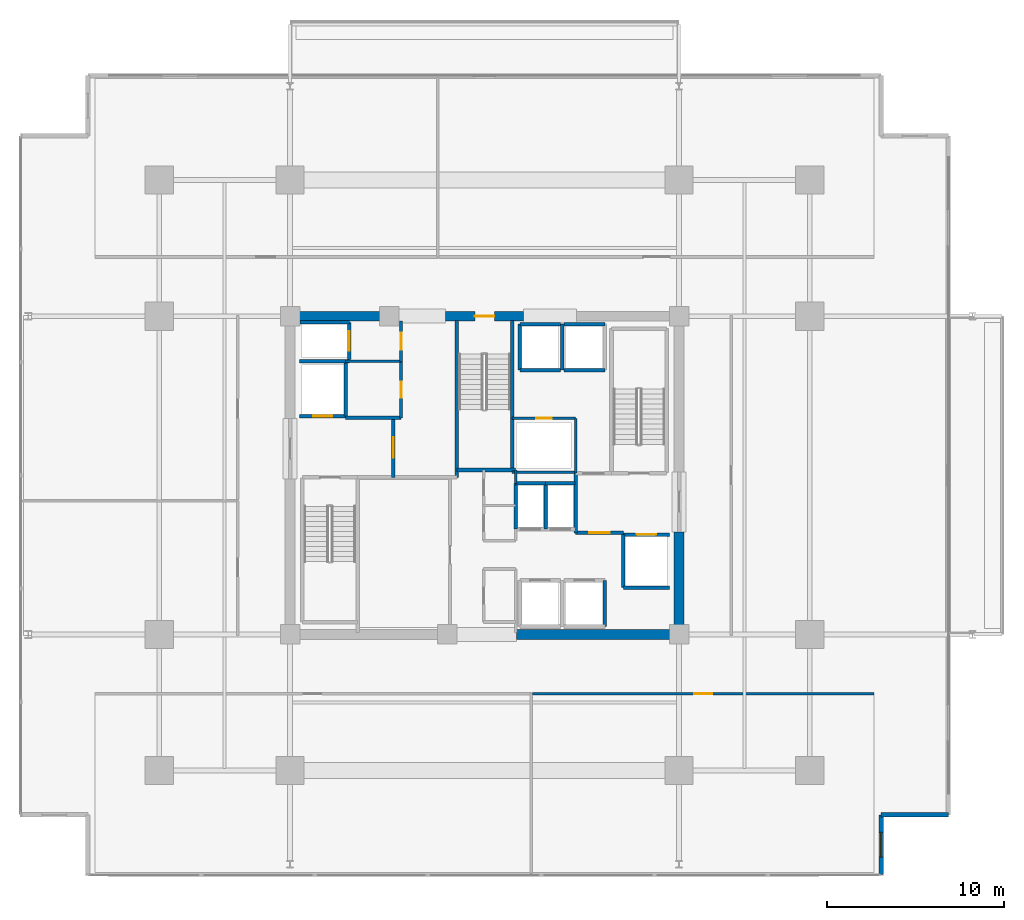
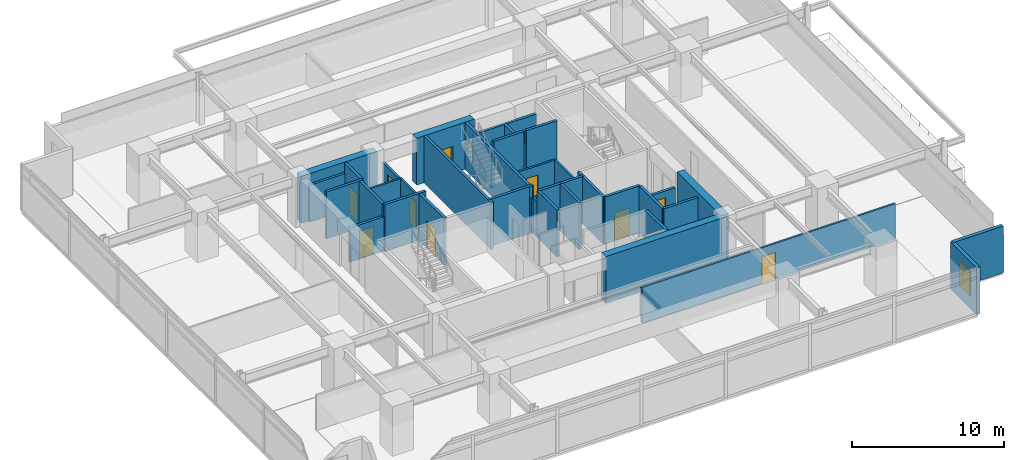
# One storey, part 13 of 20: 40 walls, 10 doors, 1 window, 11 openings.
"""IFC4 building model written with IfcOpenShell, lengths in metres."""

from ifc_helpers import new_model, si_unit, direction, frame, frame_2d, origin, place, context, subcontext, project, spatial, rectangle, extrude, material, layer, layer_set, type_object, element, fill, save


model = new_model("IFC4")

# Units and contexts
model_context = context("Model", 3, precision=1e-05, world=origin(), true_north=direction((0.0, 1.0)))
body_context = subcontext(model_context, "Body", "Model", "MODEL_VIEW")
ifc_project = project(units=[si_unit("LENGTHUNIT", "METRE"), si_unit("AREAUNIT", "SQUARE_METRE"), si_unit("VOLUMEUNIT", "CUBIC_METRE"), si_unit("PLANEANGLEUNIT", "RADIAN"), si_unit("MASSUNIT", "GRAM", prefix="KILO")], contexts=[model_context])

# Site, building, storey
site_placement = place(None, origin())
site = spatial("IfcSite", under=ifc_project, at=site_placement, CompositionType="ELEMENT")
building_placement = place(site_placement, origin())
building = spatial("IfcBuilding", under=site, at=building_placement, Name="Kovane Verandah Tower", CompositionType="ELEMENT")
storey_placement = place(building_placement, frame((0.0, 0.0, 128.39990234375)))
storey = spatial("IfcBuildingStorey", under=building, at=storey_placement, Name="L29", CompositionType="ELEMENT", Elevation=128.39990234375)

# Walls
ifc_material_1 = material(Name="Fire-Rated Gypsum Stud Partition", Category="gypsum")
ifc_layer_1 = layer(ifc_material_1, 0.14990234375)
ifc_layer_set_1 = layer_set([ifc_layer_1], Name="Fire-Rated Gypsum Stud Partition")
wall_type_1 = type_object("IfcWallType", Name="WL-COR-150", PredefinedType="PARTITIONING", material=ifc_layer_set_1)
wall_1_placement = place(storey_placement, frame((41.760009765625, 27.050048828125, 0.0), z_axis=(0.0, 0.0, 1.0), x_axis=(0.0, 1.0, 0.0)))
element("IfcWall", 1, at=wall_1_placement, inside=storey, type_object=wall_type_1, Name="L29 Central Core Strip Upper East Wall", PredefinedType="PARTITIONING", context=body_context, shape_type="SweptSolid", body=[
    extrude(rectangle(XDim=0.75, YDim=0.14990234375, at=frame_2d((0.375, 0.0))), origin(), (0.0, 0.0, 1.0), 2.85009765625),
])
wall_2_placement = place(storey_placement, frame((32.14990234375, 33.949951171875, 0.0), z_axis=(0.0, 0.0, 1.0), x_axis=(1.0, 0.0, 0.0)))
element("IfcWall", 2, at=wall_2_placement, inside=storey, type_object=wall_type_1, Name="L29 Goods Lift Lobby South Wall", PredefinedType="PARTITIONING", context=body_context, shape_type="SweptSolid", body=[
    extrude(rectangle(XDim=3.130126953125, YDim=0.14990234375, at=frame_2d((1.56494140625, 0.0))), origin(), (0.0, 0.0, 1.0), 2.85009765625),
])

# Wall, opening, door
wall_3_placement = place(storey_placement, frame((35.280029296875, 33.949951171875, 0.0), z_axis=(0.0, 0.0, 1.0), x_axis=(0.0, 1.0, 0.0)))
wall_3 = element("IfcWall", 3, at=wall_3_placement, inside=storey, type_object=wall_type_1, Name="L29 Goods Lift Lobby East Fire Partition", PredefinedType="PARTITIONING", context=body_context, shape_type="SweptSolid", body=[
    extrude(rectangle(XDim=2.27001953125, YDim=0.14990234375, at=frame_2d((1.135009765625, 0.0))), origin(), (0.0, 0.0, 1.0), 2.755126953125),
])
opening_1_placement = place(wall_3_placement, frame((0.659912109375, 0.0, 0.0)))
opening_1 = element("IfcOpeningElement", 4, at=opening_1_placement, cuts=wall_3, Name="Opening DR-L29-008", PredefinedType="OPENING", context=body_context, shape_type="SweptSolid", body=[
    extrude(rectangle(XDim=0.949951171875, YDim=2.14990234375, at=frame_2d((0.47509765625, 1.074951171875))), frame((0.0, 0.074951171875, 0.0), z_axis=(0.0, -1.0, 0.0), x_axis=(1.0, 0.0, 0.0)), (0.0, 0.0, 1.0), 0.14990234375),
])
ifc_material_2 = material(Name="Fire-Rated Steel Refuge and Lobby Door", Category="steel")
door_type_1 = type_object("IfcDoorType", Name="DR-FIRE-950", OperationType="SINGLE_SWING_LEFT", PredefinedType="DOOR", material=ifc_material_2)
door_1_placement = place(opening_1_placement, origin())
door_1 = element("IfcDoor", 5, at=door_1_placement, inside=storey, type_object=door_type_1, Name="L29 Goods Lift Lobby Fire Door", OperationType="SINGLE_SWING_RIGHT", OverallHeight=2.14990234375, OverallWidth=0.949951171875, PredefinedType="DOOR", context=body_context, shape_type="SweptSolid", body=[
    extrude(rectangle(XDim=0.949951171875, YDim=2.14990234375, at=frame_2d((0.47509765625, 1.074951171875))), frame((0.0, 0.02490234375, 0.0), z_axis=(0.0, -1.0, 0.0), x_axis=(1.0, 0.0, 0.0)), (0.0, 0.0, 1.0), 0.050048828125),
])
fill(opening_1, door_1)

wall_4_placement = place(storey_placement, frame((35.280029296875, 30.75, 0.0), z_axis=(0.0, 0.0, 1.0), x_axis=(0.0, 1.0, 0.0)))
wall_4 = element("IfcWall", 6, at=wall_4_placement, inside=storey, type_object=wall_type_1, Name="L29 Accessible Unisex Toilet Partition", PredefinedType="PARTITIONING", context=body_context, shape_type="SweptSolid", body=[
    extrude(rectangle(XDim=3.199951171875, YDim=0.14990234375, at=frame_2d((1.60009765625, 0.0))), origin(), (0.0, 0.0, 1.0), 2.85009765625),
])
opening_2_placement = place(wall_4_placement, frame((1.14990234375, 0.0, 0.0)))
opening_2 = element("IfcOpeningElement", 7, at=opening_2_placement, cuts=wall_4, Name="Opening DR-L29-020", PredefinedType="OPENING", context=body_context, shape_type="SweptSolid", body=[
    extrude(rectangle(XDim=0.89990234375, YDim=2.10009765625, at=frame_2d((0.449951171875, 1.050048828125))), frame((0.0, 0.074951171875, 0.0), z_axis=(0.0, -1.0, 0.0), x_axis=(1.0, 0.0, 0.0)), (0.0, 0.0, 1.0), 0.14990234375),
])
ifc_material_3 = material(Name="Moisture-Resistant Laminate Washroom Door", Category="wood")
door_type_2 = type_object("IfcDoorType", Name="DR-WC-900", OperationType="SINGLE_SWING_LEFT", PredefinedType="DOOR", material=ifc_material_3)
door_2_placement = place(opening_2_placement, origin())
door_2 = element("IfcDoor", 8, at=door_2_placement, inside=storey, type_object=door_type_2, Name="L29 Accessible Unisex Toilet Door", OperationType="SINGLE_SWING_LEFT", OverallHeight=2.10009765625, OverallWidth=0.89990234375, PredefinedType="DOOR", context=body_context, shape_type="SweptSolid", body=[
    extrude(rectangle(XDim=0.89990234375, YDim=2.10009765625, at=frame_2d((0.449951171875, 1.050048828125))), frame((0.0, 0.02490234375, 0.0), z_axis=(0.0, -1.0, 0.0), x_axis=(1.0, 0.0, 0.0)), (0.0, 0.0, 1.0), 0.050048828125),
])
fill(opening_2, door_2)

# Walls
wall_5_placement = place(storey_placement, frame((41.56005859375, 27.679931640625, 0.0), z_axis=(0.0, 0.0, 1.0), x_axis=(1.0, 0.0, 0.0)))
element("IfcWall", 9, at=wall_5_placement, inside=storey, type_object=wall_type_1, Name="L29 East Core Service Riser South Wall", PredefinedType="PARTITIONING", context=body_context, shape_type="SweptSolid", body=[
    extrude(rectangle(XDim=3.58984375, YDim=0.14990234375, at=frame_2d((1.794921875, 0.0))), origin(), (0.0, 0.0, 1.0), 2.85009765625),
])
wall_6_placement = place(storey_placement, frame((45.14990234375, 27.6201171875, 0.0), z_axis=(0.0, 0.0, 1.0), x_axis=(0.0, 1.0, 0.0)))
element("IfcWall", 10, at=wall_6_placement, inside=storey, type_object=wall_type_1, Name="L29 East Core Service Riser East Wall", PredefinedType="PARTITIONING", context=body_context, shape_type="SweptSolid", body=[
    extrude(rectangle(XDim=3.099853515625, YDim=0.14990234375, at=frame_2d((1.5498046875, 0.0))), origin(), (0.0, 0.0, 1.0), 2.85009765625),
])

# Wall, opening, door
wall_7_placement = place(storey_placement, frame((41.56005859375, 30.719970703125, 0.0), z_axis=(0.0, 0.0, 1.0), x_axis=(1.0, 0.0, 0.0)))
wall_7 = element("IfcWall", 11, at=wall_7_placement, inside=storey, type_object=wall_type_1, Name="L29 Combined Chilled Water and Smoke Duct Room Partition", PredefinedType="PARTITIONING", context=body_context, shape_type="SweptSolid", body=[
    extrude(rectangle(XDim=3.58984375, YDim=0.14990234375, at=frame_2d((1.794921875, 0.0))), origin(), (0.0, 0.0, 1.0), 2.85009765625),
])
opening_3_placement = place(wall_7_placement, frame((1.35498046875, 0.0, 0.0)))
opening_3 = element("IfcOpeningElement", 12, at=opening_3_placement, cuts=wall_7, Name="Opening DR-L29-014", PredefinedType="OPENING", context=body_context, shape_type="SweptSolid", body=[
    extrude(rectangle(XDim=0.8798828125, YDim=2.10009765625, at=frame_2d((0.43994140625, 1.050048828125))), frame((0.0, 0.074951171875, 0.0), z_axis=(0.0, -1.0, 0.0), x_axis=(1.0, 0.0, 0.0)), (0.0, 0.0, 1.0), 0.14990234375),
])
ifc_material_4 = material(Name="Fire-Rated Steel Riser Access Door", Category="steel")
door_type_3 = type_object("IfcDoorType", Name="DR-RISER-880", OperationType="SINGLE_SWING_LEFT", PredefinedType="DOOR", material=ifc_material_4)
door_3_placement = place(opening_3_placement, origin())
door_3 = element("IfcDoor", 13, at=door_3_placement, inside=storey, type_object=door_type_3, Name="L29 Combined Chilled Water and Smoke Duct Room Door", OperationType="SINGLE_SWING_LEFT", OverallHeight=2.10009765625, OverallWidth=0.8798828125, PredefinedType="DOOR", context=body_context, shape_type="SweptSolid", body=[
    extrude(rectangle(XDim=0.8798828125, YDim=2.10009765625, at=frame_2d((0.43994140625, 1.050048828125))), frame((0.0, 0.02490234375, 0.0), z_axis=(0.0, -1.0, 0.0), x_axis=(1.0, 0.0, 0.0)), (0.0, 0.0, 1.0), 0.050048828125),
])
fill(opening_3, door_3)

wall_8_placement = place(storey_placement, frame((42.71337890625, 15.14990234375, 0.0), z_axis=(0.0, 0.0, 1.0), x_axis=(1.0, 0.0, 0.0)))
wall_8 = element("IfcWall", 14, at=wall_8_placement, inside=storey, type_object=wall_type_1, Name="L29 Focus Studio S2 Corridor Partition", PredefinedType="PARTITIONING", context=body_context, shape_type="SweptSolid", body=[
    extrude(rectangle(XDim=19.3154296875, YDim=0.14990234375, at=frame_2d((9.65771484375, 0.0))), origin(), (0.0, 0.0, 1.0), 2.85009765625),
])
opening_4_placement = place(wall_8_placement, frame((9.15771484375, 0.0, 0.0)))
opening_4 = element("IfcOpeningElement", 15, at=opening_4_placement, cuts=wall_8, Name="Opening DR-L29-018", PredefinedType="OPENING", context=body_context, shape_type="SweptSolid", body=[
    extrude(rectangle(XDim=1.0, YDim=2.14990234375, at=frame_2d((0.5, 1.074951171875))), frame((0.0, 0.074951171875, 0.0), z_axis=(0.0, -1.0, 0.0), x_axis=(1.0, 0.0, 0.0)), (0.0, 0.0, 1.0), 0.14990234375),
])
ifc_material_5 = material(Name="FSC Spotted-Gum Timber Fire-Rated Office Door", Category="wood")
door_type_4 = type_object("IfcDoorType", Name="DR-OFF-1000", OperationType="SINGLE_SWING_LEFT", PredefinedType="DOOR", material=ifc_material_5)
door_4_placement = place(opening_4_placement, origin())
door_4 = element("IfcDoor", 16, at=door_4_placement, inside=storey, type_object=door_type_4, Name="L29 Focus Studio S2 Entrance Door", OperationType="SINGLE_SWING_LEFT", OverallHeight=2.14990234375, OverallWidth=1.0, PredefinedType="DOOR", context=body_context, shape_type="SweptSolid", body=[
    extrude(rectangle(XDim=1.0, YDim=2.14990234375, at=frame_2d((0.5, 1.074951171875))), frame((0.0, 0.02490234375, 0.0), z_axis=(0.0, -1.0, 0.0), x_axis=(1.0, 0.0, 0.0)), (0.0, 0.0, 1.0), 0.050048828125),
])
fill(opening_4, door_4)

# Walls
ifc_material_6 = material(Name="Concrete C60/75", Category="concrete")
ifc_layer_2 = layer(ifc_material_6, 0.550048828125)
ifc_layer_set_2 = layer_set([ifc_layer_2], Name="Concrete C60/75")
wall_type_2 = type_object("IfcWallType", Name="WL-CORE-550", PredefinedType="SHEAR", material=ifc_layer_set_2)
wall_9_placement = place(storey_placement, frame((41.800048828125, 18.5, 0.0), z_axis=(0.0, 0.0, 1.0), x_axis=(1.0, 0.0, 0.0)))
element("IfcWall", 17, at=wall_9_placement, inside=storey, type_object=wall_type_2, Name="L29 Core Shear Wall CS-2", PredefinedType="SHEAR", context=body_context, shape_type="SweptSolid", body=[
    extrude(rectangle(XDim=9.199951171875, YDim=0.550048828125, at=frame_2d((4.60009765625, 0.0))), origin(), (0.0, 0.0, 1.0), 3.775146484375),
])
wall_10_placement = place(storey_placement, frame((29.0, 36.5, 0.0), z_axis=(0.0, 0.0, 1.0), x_axis=(1.0, 0.0, 0.0)))
element("IfcWall", 18, at=wall_10_placement, inside=storey, type_object=wall_type_2, Name="L29 Core Shear Wall CN-1", PredefinedType="SHEAR", context=body_context, shape_type="SweptSolid", body=[
    extrude(rectangle(XDim=5.800048828125, YDim=0.550048828125, at=frame_2d((2.89990234375, 0.0))), origin(), (0.0, 0.0, 1.0), 3.775146484375),
])

# Wall, opening, door
wall_11_placement = place(storey_placement, frame((37.800048828125, 36.5, 0.0), z_axis=(0.0, 0.0, 1.0), x_axis=(1.0, 0.0, 0.0)))
wall_11 = element("IfcWall", 19, at=wall_11_placement, inside=storey, type_object=wall_type_2, Name="L29 Core Shear Wall CN-2", PredefinedType="SHEAR", context=body_context, shape_type="SweptSolid", body=[
    extrude(rectangle(XDim=4.39990234375, YDim=0.550048828125, at=frame_2d((2.199951171875, 0.0))), origin(), (0.0, 0.0, 1.0), 3.775146484375),
])
opening_5_placement = place(wall_11_placement, frame((1.64990234375, 0.0, 0.0)))
opening_5 = element("IfcOpeningElement", 20, at=opening_5_placement, cuts=wall_11, Name="Opening DR-L29-011", PredefinedType="OPENING", context=body_context, shape_type="SweptSolid", body=[
    extrude(rectangle(XDim=1.10009765625, YDim=2.14990234375, at=frame_2d((0.550048828125, 1.074951171875))), frame((0.0, 0.27490234375, 0.0), z_axis=(0.0, -1.0, 0.0), x_axis=(1.0, 0.0, 0.0)), (0.0, 0.0, 1.0), 0.550048828125),
])
ifc_material_7 = material(Name="Fire-Rated Steel Exit Door", Category="steel")
door_type_5 = type_object("IfcDoorType", Name="DR-STAIR-1100", OperationType="SINGLE_SWING_LEFT", PredefinedType="DOOR", material=ifc_material_7)
door_5_placement = place(opening_5_placement, origin())
door_5 = element("IfcDoor", 21, at=door_5_placement, inside=storey, type_object=door_type_5, Name="L29 ST-03 Fire Exit Stair Door", OperationType="SINGLE_SWING_RIGHT", OverallHeight=2.14990234375, OverallWidth=1.10009765625, PredefinedType="DOOR", context=body_context, shape_type="SweptSolid", body=[
    extrude(rectangle(XDim=1.10009765625, YDim=2.14990234375, at=frame_2d((0.550048828125, 1.074951171875))), frame((0.0, 0.02490234375, 0.0), z_axis=(0.0, -1.0, 0.0), x_axis=(1.0, 0.0, 0.0)), (0.0, 0.0, 1.0), 0.050048828125),
])
fill(opening_5, door_5)

# Wall
wall_12_placement = place(storey_placement, frame((51.0, 18.5, 0.0), z_axis=(0.0, 0.0, 1.0), x_axis=(0.0, 1.0, 0.0)))
element("IfcWall", 22, at=wall_12_placement, inside=storey, type_object=wall_type_2, Name="L29 Core Shear Wall CE-1", PredefinedType="SHEAR", context=body_context, shape_type="SweptSolid", body=[
    extrude(rectangle(XDim=5.800048828125, YDim=0.550048828125, at=frame_2d((2.89990234375, 0.0))), origin(), (0.0, 0.0, 1.0), 3.775146484375),
])

# Wall, opening, door
ifc_material_8 = material(Name="Concrete C45/55 Fire Wall", Category="concrete")
ifc_layer_3 = layer(ifc_material_8, 0.199951171875)
ifc_layer_set_3 = layer_set([ifc_layer_3], Name="Concrete C45/55 Fire Wall")
wall_type_3 = type_object("IfcWallType", Name="WL-FFL-200", PredefinedType="PARTITIONING", material=ifc_layer_set_3)
wall_13_placement = place(storey_placement, frame((34.85009765625, 27.3798828125, 0.0), z_axis=(0.0, 0.0, 1.0), x_axis=(0.0, 1.0, 0.0)))
wall_13 = element("IfcWall", 23, at=wall_13_placement, inside=storey, type_object=wall_type_3, Name="W-L29-FFLW-E", PredefinedType="PARTITIONING", context=body_context, shape_type="SweptSolid", body=[
    extrude(rectangle(XDim=3.3701171875, YDim=0.199951171875, at=frame_2d((1.68505859375, 0.0))), origin(), (0.0, 0.0, 1.0), 3.775146484375),
])
opening_6_placement = place(wall_13_placement, frame((1.110107421875, 0.0, 0.0)))
opening_6 = element("IfcOpeningElement", 24, at=opening_6_placement, cuts=wall_13, Name="Opening DR-L29-006", PredefinedType="OPENING", context=body_context, shape_type="SweptSolid", body=[
    extrude(rectangle(XDim=1.14990234375, YDim=2.199951171875, at=frame_2d((0.574951171875, 1.10009765625))), frame((0.0, 0.10009765625, 0.0), z_axis=(0.0, -1.0, 0.0), x_axis=(1.0, 0.0, 0.0)), (0.0, 0.0, 1.0), 0.199951171875),
])
ifc_material_9 = material(Name="Smoke-Sealed Firefighting Lobby Door", Category="steel")
door_type_6 = type_object("IfcDoorType", Name="DR-FFL-1150", OperationType="SINGLE_SWING_LEFT", PredefinedType="DOOR", material=ifc_material_9)
door_6_placement = place(opening_6_placement, origin())
door_6 = element("IfcDoor", 25, at=door_6_placement, inside=storey, type_object=door_type_6, Name="L29 West Firefighting Lobby Inner Door", OperationType="SINGLE_SWING_LEFT", OverallHeight=2.199951171875, OverallWidth=1.14990234375, PredefinedType="DOOR", context=body_context, shape_type="SweptSolid", body=[
    extrude(rectangle(XDim=1.14990234375, YDim=2.199951171875, at=frame_2d((0.574951171875, 1.10009765625))), frame((0.0, 0.02490234375, 0.0), z_axis=(0.0, -1.0, 0.0), x_axis=(1.0, 0.0, 0.0)), (0.0, 0.0, 1.0), 0.050048828125),
])
fill(opening_6, door_6)

# Walls
wall_14_placement = place(storey_placement, frame((32.14990234375, 30.75, 0.0), z_axis=(0.0, 0.0, 1.0), x_axis=(1.0, 0.0, 0.0)))
element("IfcWall", 26, at=wall_14_placement, inside=storey, type_object=wall_type_3, Name="L29 West Firefighting Lobby North Fire Wall", PredefinedType="PARTITIONING", context=body_context, shape_type="SweptSolid", body=[
    extrude(rectangle(XDim=3.130126953125, YDim=0.199951171875, at=frame_2d((1.56494140625, 0.0))), origin(), (0.0, 0.0, 1.0), 3.775146484375),
])
wall_15_placement = place(storey_placement, frame((45.14990234375, 24.25, 0.0), z_axis=(0.0, 0.0, 1.0), x_axis=(0.0, 1.0, 0.0)))
element("IfcWall", 27, at=wall_15_placement, inside=storey, type_object=wall_type_3, Name="L29 East Firefighting Lobby West Fire Wall", PredefinedType="PARTITIONING", context=body_context, shape_type="SweptSolid", body=[
    extrude(rectangle(XDim=3.3701171875, YDim=0.199951171875, at=frame_2d((1.68505859375, 0.0))), origin(), (0.0, 0.0, 1.0), 3.775146484375),
])

# Wall, opening, door
wall_16_placement = place(storey_placement, frame((45.14990234375, 24.25, 0.0), z_axis=(0.0, 0.0, 1.0), x_axis=(1.0, 0.0, 0.0)))
wall_16 = element("IfcWall", 28, at=wall_16_placement, inside=storey, type_object=wall_type_3, Name="W-L29-FFLE-S", PredefinedType="PARTITIONING", context=body_context, shape_type="SweptSolid", body=[
    extrude(rectangle(XDim=2.7001953125, YDim=0.199951171875, at=frame_2d((1.35009765625, 0.0))), origin(), (0.0, 0.0, 1.0), 3.775146484375),
])
opening_7_placement = place(wall_16_placement, frame((0.77490234375, 0.0, 0.0)))
opening_7 = element("IfcOpeningElement", 29, at=opening_7_placement, cuts=wall_16, Name="Opening DR-L29-003", PredefinedType="OPENING", context=body_context, shape_type="SweptSolid", body=[
    extrude(rectangle(XDim=1.14990234375, YDim=2.199951171875, at=frame_2d((0.574951171875, 1.10009765625))), frame((0.0, 0.10009765625, 0.0), z_axis=(0.0, -1.0, 0.0), x_axis=(1.0, 0.0, 0.0)), (0.0, 0.0, 1.0), 0.199951171875),
])
door_7_placement = place(opening_7_placement, origin())
door_7 = element("IfcDoor", 30, at=door_7_placement, inside=storey, type_object=door_type_6, Name="L29 East Firefighting Lobby Inner Door", OperationType="SINGLE_SWING_RIGHT", OverallHeight=2.199951171875, OverallWidth=1.14990234375, PredefinedType="DOOR", context=body_context, shape_type="SweptSolid", body=[
    extrude(rectangle(XDim=1.14990234375, YDim=2.199951171875, at=frame_2d((0.574951171875, 1.10009765625))), frame((0.0, 0.02490234375, 0.0), z_axis=(0.0, -1.0, 0.0), x_axis=(1.0, 0.0, 0.0)), (0.0, 0.0, 1.0), 0.050048828125),
])
fill(opening_7, door_7)

ifc_material_10 = material(Name="Concrete C45/55 Lift Shaft Wall", Category="concrete")
ifc_layer_4 = layer(ifc_material_10, 0.199951171875)
ifc_layer_set_4 = layer_set([ifc_layer_4], Name="Concrete C45/55 Lift Shaft Wall")
wall_type_4 = type_object("IfcWallType", Name="WL-LIFT-200", PredefinedType="SOLIDWALL", material=ifc_layer_set_4)
wall_17_placement = place(storey_placement, frame((29.550048828125, 30.85009765625, 0.0), z_axis=(0.0, 0.0, 1.0), x_axis=(1.0, 0.0, 0.0)))
wall_17 = element("IfcWall", 31, at=wall_17_placement, inside=storey, type_object=wall_type_4, Name="L29 Lift FL-01 S Shaft Wall", PredefinedType="SOLIDWALL", context=body_context, shape_type="SweptSolid", body=[
    extrude(rectangle(XDim=2.599853515625, YDim=0.199951171875, at=frame_2d((1.2998046875, 0.0))), origin(), (0.0, 0.0, 1.0), 2.755126953125),
])
opening_8_placement = place(wall_17_placement, frame((0.75, 0.0, 0.0)))
opening_8 = element("IfcOpeningElement", 32, at=opening_8_placement, cuts=wall_17, Name="Opening LD-L29-001", PredefinedType="OPENING", context=body_context, shape_type="SweptSolid", body=[
    extrude(rectangle(XDim=1.10009765625, YDim=2.199951171875, at=frame_2d((0.550048828125, 1.10009765625))), frame((0.0, 0.10009765625, 0.0), z_axis=(0.0, -1.0, 0.0), x_axis=(1.0, 0.0, 0.0)), (0.0, 0.0, 1.0), 0.199951171875),
])
ifc_material_11 = material(Name="Brushed Stainless Steel Sliding Lift Landing Door", Category="steel")
door_type_7 = type_object("IfcDoorType", Name="DR-LIFT-1100", OperationType="SLIDING_TO_RIGHT", PredefinedType="DOOR", material=ifc_material_11)
door_8_placement = place(opening_8_placement, origin())
door_8 = element("IfcDoor", 33, at=door_8_placement, inside=storey, type_object=door_type_7, Name="L29 Lift FL-01 Sliding Landing Door", OperationType="SLIDING_TO_RIGHT", OverallHeight=2.199951171875, OverallWidth=1.10009765625, PredefinedType="DOOR", context=body_context, shape_type="SweptSolid", body=[
    extrude(rectangle(XDim=1.10009765625, YDim=2.199951171875, at=frame_2d((0.550048828125, 1.10009765625))), frame((0.0, 0.02490234375, 0.0), z_axis=(0.0, -1.0, 0.0), x_axis=(1.0, 0.0, 0.0)), (0.0, 0.0, 1.0), 0.050048828125),
])
fill(opening_8, door_8)

# Walls
wall_18_placement = place(storey_placement, frame((29.550048828125, 33.949951171875, 0.0), z_axis=(0.0, 0.0, 1.0), x_axis=(1.0, 0.0, 0.0)))
element("IfcWall", 34, at=wall_18_placement, inside=storey, type_object=wall_type_4, Name="L29 Lift FL-01 and GL-01 Shared Shaft Wall", PredefinedType="SOLIDWALL", context=body_context, shape_type="SweptSolid", body=[
    extrude(rectangle(XDim=2.800048828125, YDim=0.199951171875, at=frame_2d((1.39990234375, 0.0))), origin(), (0.0, 0.0, 1.0), 3.775146484375),
])
wall_19_placement = place(storey_placement, frame((32.14990234375, 30.85009765625, 0.0), z_axis=(0.0, 0.0, 1.0), x_axis=(0.0, 1.0, 0.0)))
element("IfcWall", 35, at=wall_19_placement, inside=storey, type_object=wall_type_4, Name="L29 Lift FL-01 E Shaft Wall", PredefinedType="SOLIDWALL", context=body_context, shape_type="SweptSolid", body=[
    extrude(rectangle(XDim=3.0, YDim=0.199951171875, at=frame_2d((1.5, 0.0))), origin(), (0.0, 0.0, 1.0), 3.775146484375),
])
wall_20_placement = place(storey_placement, frame((47.85009765625, 21.14990234375, 0.0), z_axis=(0.0, 0.0, 1.0), x_axis=(1.0, 0.0, 0.0)))
element("IfcWall", 36, at=wall_20_placement, inside=storey, type_object=wall_type_4, Name="L29 Lift FL-02 S Shaft Wall", PredefinedType="SOLIDWALL", context=body_context, shape_type="SweptSolid", body=[
    extrude(rectangle(XDim=2.599853515625, YDim=0.199951171875, at=frame_2d((1.2998046875, 0.0))), origin(), (0.0, 0.0, 1.0), 3.775146484375),
])

# Wall, opening, door
wall_21_placement = place(storey_placement, frame((50.449951171875, 24.14990234375, 0.0), z_axis=(0.0, 0.0, 1.0), x_axis=(-1.0, 0.0, 0.0)))
wall_21 = element("IfcWall", 37, at=wall_21_placement, inside=storey, type_object=wall_type_4, Name="L29 Lift FL-02 N Shaft Wall", PredefinedType="SOLIDWALL", context=body_context, shape_type="SweptSolid", body=[
    extrude(rectangle(XDim=2.599853515625, YDim=0.199951171875, at=frame_2d((1.2998046875, 0.0))), origin(), (0.0, 0.0, 1.0), 2.755126953125),
])
opening_9_placement = place(wall_21_placement, frame((0.75, 0.0, 0.0)))
opening_9 = element("IfcOpeningElement", 38, at=opening_9_placement, cuts=wall_21, Name="Opening LD-L29-002", PredefinedType="OPENING", context=body_context, shape_type="SweptSolid", body=[
    extrude(rectangle(XDim=1.10009765625, YDim=2.199951171875, at=frame_2d((0.550048828125, 1.10009765625))), frame((0.0, 0.10009765625, 0.0), z_axis=(0.0, -1.0, 0.0), x_axis=(1.0, 0.0, 0.0)), (0.0, 0.0, 1.0), 0.199951171875),
])
door_9_placement = place(opening_9_placement, origin())
door_9 = element("IfcDoor", 39, at=door_9_placement, inside=storey, type_object=door_type_7, Name="L29 Lift FL-02 Sliding Landing Door", OperationType="SLIDING_TO_RIGHT", OverallHeight=2.199951171875, OverallWidth=1.10009765625, PredefinedType="DOOR", context=body_context, shape_type="SweptSolid", body=[
    extrude(rectangle(XDim=1.10009765625, YDim=2.199951171875, at=frame_2d((0.550048828125, 1.10009765625))), frame((0.0, 0.02490234375, 0.0), z_axis=(0.0, -1.0, 0.0), x_axis=(1.0, 0.0, 0.0)), (0.0, 0.0, 1.0), 0.050048828125),
])
fill(opening_9, door_9)

# Walls
wall_22_placement = place(storey_placement, frame((47.85009765625, 24.14990234375, 0.0), z_axis=(0.0, 0.0, 1.0), x_axis=(0.0, -1.0, 0.0)))
element("IfcWall", 40, at=wall_22_placement, inside=storey, type_object=wall_type_4, Name="L29 Lift FL-02 W Shaft Wall", PredefinedType="SOLIDWALL", context=body_context, shape_type="SweptSolid", body=[
    extrude(rectangle(XDim=3.0, YDim=0.199951171875, at=frame_2d((1.5, 0.0))), origin(), (0.0, 0.0, 1.0), 3.775146484375),
])
wall_23_placement = place(storey_placement, frame((32.35009765625, 36.14990234375, 0.0), z_axis=(0.0, 0.0, 1.0), x_axis=(-1.0, 0.0, 0.0)))
element("IfcWall", 41, at=wall_23_placement, inside=storey, type_object=wall_type_4, Name="L29 Lift GL-01 N Shaft Wall", PredefinedType="SOLIDWALL", context=body_context, shape_type="SweptSolid", body=[
    extrude(rectangle(XDim=2.800048828125, YDim=0.199951171875, at=frame_2d((1.39990234375, 0.0))), origin(), (0.0, 0.0, 1.0), 2.9853515625),
])

# Wall, opening, door
wall_24_placement = place(storey_placement, frame((32.35009765625, 34.050048828125, 0.0), z_axis=(0.0, 0.0, 1.0), x_axis=(0.0, 1.0, 0.0)))
wall_24 = element("IfcWall", 42, at=wall_24_placement, inside=storey, type_object=wall_type_4, Name="L29 Lift GL-01 E Shaft Wall", PredefinedType="SOLIDWALL", context=body_context, shape_type="SweptSolid", body=[
    extrude(rectangle(XDim=2.099853515625, YDim=0.199951171875, at=frame_2d((1.0498046875, 0.0))), origin(), (0.0, 0.0, 1.0), 3.775146484375),
])
opening_10_placement = place(wall_24_placement, frame((0.5, 0.0, 0.0)))
opening_10 = element("IfcOpeningElement", 43, at=opening_10_placement, cuts=wall_24, Name="Opening LD-L29-003", PredefinedType="OPENING", context=body_context, shape_type="SweptSolid", body=[
    extrude(rectangle(XDim=1.10009765625, YDim=2.199951171875, at=frame_2d((0.550048828125, 1.10009765625))), frame((0.0, 0.10009765625, 0.0), z_axis=(0.0, -1.0, 0.0), x_axis=(1.0, 0.0, 0.0)), (0.0, 0.0, 1.0), 0.199951171875),
])
door_10_placement = place(opening_10_placement, origin())
door_10 = element("IfcDoor", 44, at=door_10_placement, inside=storey, type_object=door_type_7, Name="L29 Lift GL-01 Sliding Landing Door", OperationType="SLIDING_TO_RIGHT", OverallHeight=2.199951171875, OverallWidth=1.10009765625, PredefinedType="DOOR", context=body_context, shape_type="SweptSolid", body=[
    extrude(rectangle(XDim=1.10009765625, YDim=2.199951171875, at=frame_2d((0.550048828125, 1.10009765625))), frame((0.0, 0.02490234375, 0.0), z_axis=(0.0, -1.0, 0.0), x_axis=(1.0, 0.0, 0.0)), (0.0, 0.0, 1.0), 0.050048828125),
])
fill(opening_10, door_10)

# Walls
wall_25_placement = place(storey_placement, frame((46.800048828125, 18.949951171875, 0.0), z_axis=(0.0, 0.0, 1.0), x_axis=(0.0, 1.0, 0.0)))
element("IfcWall", 45, at=wall_25_placement, inside=storey, type_object=wall_type_4, Name="L29 Lift PL-M2 E Shaft Wall", PredefinedType="SOLIDWALL", context=body_context, shape_type="SweptSolid", body=[
    extrude(rectangle(XDim=2.60009765625, YDim=0.199951171875, at=frame_2d((1.300048828125, 0.0))), origin(), (0.0, 0.0, 1.0), 3.775146484375),
])
wall_26_placement = place(storey_placement, frame((43.43994140625, 27.050048828125, 0.0), z_axis=(0.0, 0.0, 1.0), x_axis=(-1.0, 0.0, 0.0)))
element("IfcWall", 46, at=wall_26_placement, inside=storey, type_object=wall_type_4, Name="L29 Lift PL-M3 N Shaft Wall", PredefinedType="SOLIDWALL", context=body_context, shape_type="SweptSolid", body=[
    extrude(rectangle(XDim=1.679931640625, YDim=0.199951171875, at=frame_2d((0.83984375, 0.0))), origin(), (0.0, 0.0, 1.0), 3.775146484375),
])
for number, where, z_axis, x_axis, name in (
    (47, (41.760009765625, 27.050048828125, 0.0), (0.0, 0.0, 1.0), (0.0, -1.0, 0.0), "L29 Lift PL-M3 W Shaft Wall"),
    (48, (43.449951171875, 24.449951171875, 0.0), (0.0, 0.0, 1.0), (0.0, 1.0, 0.0), "L29 Lift PL-M3 and PL-M4 Shared Shaft Wall"),
):
    element("IfcWall", number, at=place(storey_placement, frame(where, z_axis=z_axis, x_axis=x_axis)), inside=storey, type_object=wall_type_4, Name=name, PredefinedType="SOLIDWALL", context=body_context, shape_type="SweptSolid", body=[
        extrude(rectangle(XDim=2.60009765625, YDim=0.199951171875, at=frame_2d((1.300048828125, 0.0))), origin(), (0.0, 0.0, 1.0), 3.775146484375),
    ])
wall_27_placement = place(storey_placement, frame((45.1201171875, 27.050048828125, 0.0), z_axis=(0.0, 0.0, 1.0), x_axis=(-1.0, 0.0, 0.0)))
element("IfcWall", 49, at=wall_27_placement, inside=storey, type_object=wall_type_4, Name="L29 Lift PL-M4 N Shaft Wall", PredefinedType="SOLIDWALL", context=body_context, shape_type="SweptSolid", body=[
    extrude(rectangle(XDim=1.66015625, YDim=0.199951171875, at=frame_2d((0.830078125, 0.0))), origin(), (0.0, 0.0, 1.0), 3.775146484375),
])
wall_28_placement = place(storey_placement, frame((42.0, 33.449951171875, 0.0), z_axis=(0.0, 0.0, 1.0), x_axis=(1.0, 0.0, 0.0)))
element("IfcWall", 50, at=wall_28_placement, inside=storey, type_object=wall_type_4, Name="L29 Lift SL-01 S Shaft Wall", PredefinedType="SOLIDWALL", context=body_context, shape_type="SweptSolid", body=[
    extrude(rectangle(XDim=2.300048828125, YDim=0.199951171875, at=frame_2d((1.14990234375, 0.0))), origin(), (0.0, 0.0, 1.0), 3.775146484375),
])
wall_29_placement = place(storey_placement, frame((44.300048828125, 36.050048828125, 0.0), z_axis=(0.0, 0.0, 1.0), x_axis=(-1.0, 0.0, 0.0)))
element("IfcWall", 51, at=wall_29_placement, inside=storey, type_object=wall_type_4, Name="L29 Lift SL-01 N Shaft Wall", PredefinedType="SOLIDWALL", context=body_context, shape_type="SweptSolid", body=[
    extrude(rectangle(XDim=2.300048828125, YDim=0.199951171875, at=frame_2d((1.14990234375, 0.0))), origin(), (0.0, 0.0, 1.0), 2.755126953125),
])
for number, where, z_axis, x_axis, name in (
    (52, (42.0, 36.050048828125, 0.0), (0.0, 0.0, 1.0), (0.0, -1.0, 0.0), "L29 Lift SL-01 W Shaft Wall"),
    (53, (44.39990234375, 33.449951171875, 0.0), (0.0, 0.0, 1.0), (0.0, 1.0, 0.0), "L29 Lift OL-01 and SL-01 Shared Shaft Wall"),
):
    element("IfcWall", number, at=place(storey_placement, frame(where, z_axis=z_axis, x_axis=x_axis)), inside=storey, type_object=wall_type_4, Name=name, PredefinedType="SOLIDWALL", context=body_context, shape_type="SweptSolid", body=[
        extrude(rectangle(XDim=2.60009765625, YDim=0.199951171875, at=frame_2d((1.300048828125, 0.0))), origin(), (0.0, 0.0, 1.0), 2.755126953125),
    ])
wall_30_placement = place(storey_placement, frame((44.5, 33.449951171875, 0.0), z_axis=(0.0, 0.0, 1.0), x_axis=(1.0, 0.0, 0.0)))
element("IfcWall", 54, at=wall_30_placement, inside=storey, type_object=wall_type_4, Name="L29 Lift OL-01 S Shaft Wall", PredefinedType="SOLIDWALL", context=body_context, shape_type="SweptSolid", body=[
    extrude(rectangle(XDim=2.300048828125, YDim=0.199951171875, at=frame_2d((1.14990234375, 0.0))), origin(), (0.0, 0.0, 1.0), 3.775146484375),
])
wall_31_placement = place(storey_placement, frame((46.800048828125, 36.050048828125, 0.0), z_axis=(0.0, 0.0, 1.0), x_axis=(-1.0, 0.0, 0.0)))
element("IfcWall", 55, at=wall_31_placement, inside=storey, type_object=wall_type_4, Name="L29 Lift OL-01 N Shaft Wall", PredefinedType="SOLIDWALL", context=body_context, shape_type="SweptSolid", body=[
    extrude(rectangle(XDim=2.300048828125, YDim=0.199951171875, at=frame_2d((1.14990234375, 0.0))), origin(), (0.0, 0.0, 1.0), 2.755126953125),
])
ifc_material_12 = material(Name="Concrete C45/55", Category="concrete")
ifc_layer_5 = layer(ifc_material_12, 0.199951171875)
ifc_layer_set_5 = layer_set([ifc_layer_5], Name="Concrete C45/55")
wall_type_5 = type_object("IfcWallType", Name="WL-SHAFT-200", PredefinedType="SOLIDWALL", material=ifc_layer_set_5)
wall_32_placement = place(storey_placement, frame((38.43994140625, 27.3798828125, 0.0), z_axis=(0.0, 0.0, 1.0), x_axis=(0.0, 1.0, 0.0)))
element("IfcWall", 56, at=wall_32_placement, inside=storey, type_object=wall_type_5, Name="W-L29-ST03-W", PredefinedType="SOLIDWALL", context=body_context, shape_type="SweptSolid", body=[
    extrude(rectangle(XDim=8.8701171875, YDim=0.199951171875, at=frame_2d((4.43505859375, 0.0))), origin(), (0.0, 0.0, 1.0), 3.775146484375),
])
wall_33_placement = place(storey_placement, frame((41.56005859375, 27.679931640625, 0.0), z_axis=(0.0, 0.0, 1.0), x_axis=(0.0, 1.0, 0.0)))
element("IfcWall", 57, at=wall_33_placement, inside=storey, type_object=wall_type_5, Name="W-L29-ST03-E", PredefinedType="SOLIDWALL", context=body_context, shape_type="SweptSolid", body=[
    extrude(rectangle(XDim=8.570068359375, YDim=0.199951171875, at=frame_2d((4.28515625, 0.0))), origin(), (0.0, 0.0, 1.0), 3.775146484375),
])
wall_34_placement = place(storey_placement, frame((38.43994140625, 27.800048828125, 0.0), z_axis=(0.0, 0.0, 1.0), x_axis=(1.0, 0.0, 0.0)))
element("IfcWall", 58, at=wall_34_placement, inside=storey, type_object=wall_type_5, Name="W-L29-ST03-S", PredefinedType="SOLIDWALL", context=body_context, shape_type="SweptSolid", body=[
    extrude(rectangle(XDim=3.320068359375, YDim=0.199951171875, at=frame_2d((1.66015625, 0.0))), origin(), (0.0, 0.0, 1.0), 3.775146484375),
])

# Wall, opening, window
ifc_material_13 = material(Name="Concrete C45/55 Insulated Spandrel Wall", Category="concrete")
ifc_layer_6 = layer(ifc_material_13, 0.260009765625)
ifc_layer_set_6 = layer_set([ifc_layer_6], Name="Concrete C45/55 Insulated Spandrel Wall")
wall_type_6 = type_object("IfcWallType", Name="WL-SPANDREL-260", PredefinedType="PARAPET", material=ifc_layer_set_6)
wall_35_placement = place(storey_placement, frame((62.4287109375, 4.89990234375, 0.0), z_axis=(0.0, 0.0, 1.0), x_axis=(0.0, 1.0, 0.0)))
wall_35 = element("IfcWall", 59, at=wall_35_placement, inside=storey, type_object=wall_type_6, Name="L29 SE Notch Cheek Wall 1", PredefinedType="PARAPET", context=body_context, shape_type="SweptSolid", body=[
    extrude(rectangle(XDim=3.39990234375, YDim=0.260009765625, at=frame_2d((1.699951171875, 0.0))), origin(), (0.0, 0.0, 1.0), 3.775146484375),
])
opening_11_placement = place(wall_35_placement, frame((1.0, 0.0, 0.85009765625)))
opening_11 = element("IfcOpeningElement", 60, at=opening_11_placement, cuts=wall_35, Name="Opening W-01", PredefinedType="OPENING", context=body_context, shape_type="SweptSolid", body=[
    extrude(rectangle(XDim=1.39990234375, YDim=2.0, at=frame_2d((0.699951171875, 1.0))), frame((0.0, 0.1298828125, 0.0), z_axis=(0.0, -1.0, 0.0), x_axis=(1.0, 0.0, 0.0)), (0.0, 0.0, 1.0), 0.260009765625),
])
ifc_material_14 = material(Name="Clear Low-E Laminated Double Glazing in Anodised Frame", Category="glass")
window_type = type_object("IfcWindowType", Name="WN-OPER-1400x2000", PartitioningType="SINGLE_PANEL", PredefinedType="WINDOW", material=ifc_material_14)
window_placement = place(opening_11_placement, origin())
window = element("IfcWindow", 61, at=window_placement, inside=storey, type_object=window_type, Name="L29 SE Re-Entrant Corner Operable Window", OverallHeight=2.0, OverallWidth=1.39990234375, PartitioningType="SINGLE_PANEL", PredefinedType="WINDOW", context=body_context, shape_type="SweptSolid", body=[
    extrude(rectangle(XDim=1.39990234375, YDim=2.0, at=frame_2d((0.699951171875, 1.0))), frame((0.0, 0.030029296875, 0.0), z_axis=(0.0, -1.0, 0.0), x_axis=(1.0, 0.0, 0.0)), (0.0, 0.0, 1.0), 0.06005859375),
])
fill(opening_11, window)

# Wall
wall_36_placement = place(storey_placement, frame((62.4287109375, 8.2998046875, 0.0), z_axis=(0.0, 0.0, 1.0), x_axis=(1.0, 0.0, 0.0)))
element("IfcWall", 62, at=wall_36_placement, inside=storey, type_object=wall_type_6, Name="L29 SE Notch Cheek Wall 2", PredefinedType="PARAPET", context=body_context, shape_type="SweptSolid", body=[
    extrude(rectangle(XDim=3.800048828125, YDim=0.260009765625, at=frame_2d((1.89990234375, 0.0))), origin(), (0.0, 0.0, 1.0), 3.775146484375),
])

save(model, "model.ifc")
